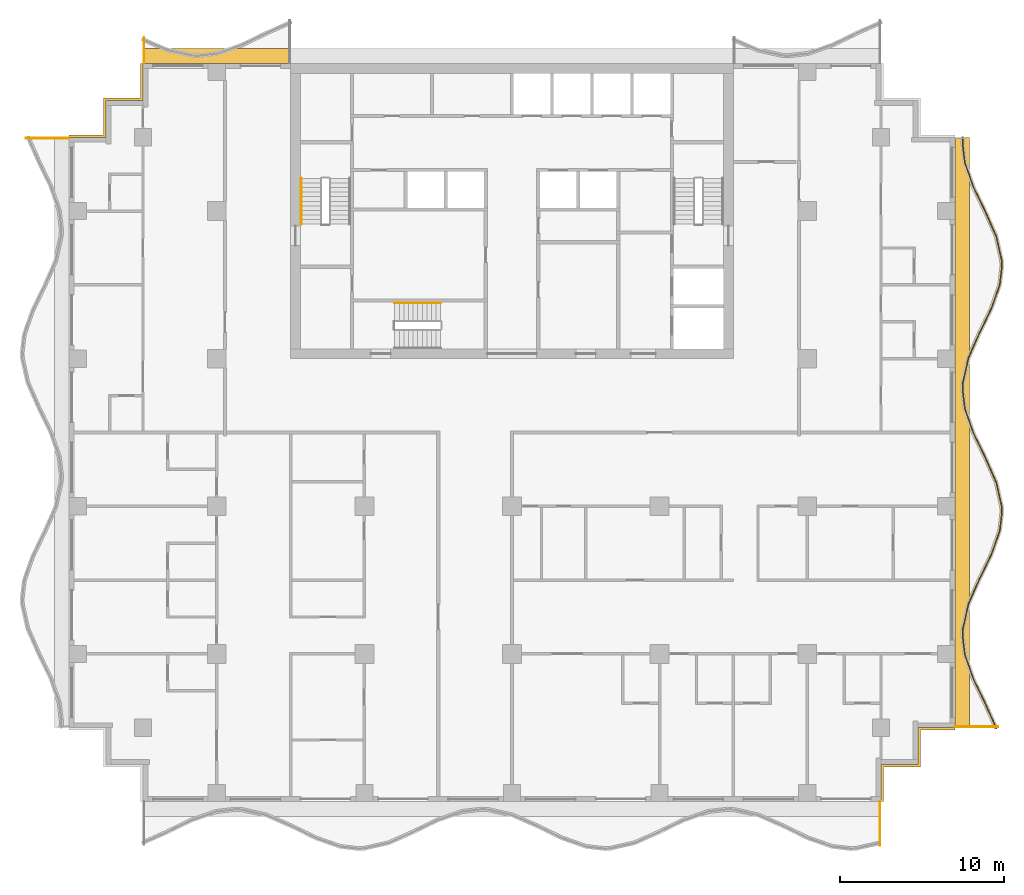
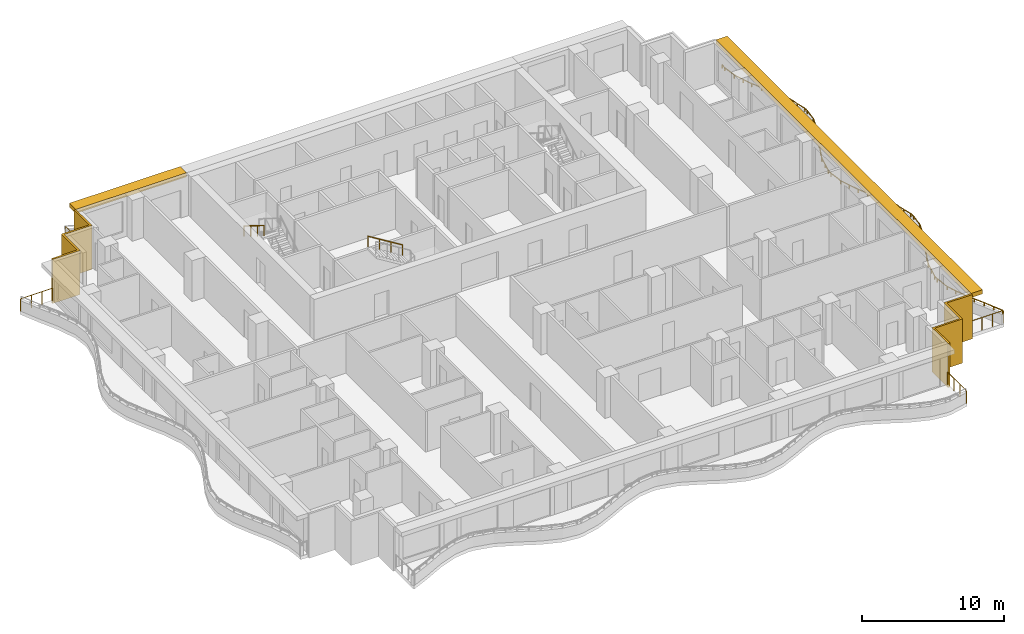
# One storey, part 10 of 11: 7 railings, 4 shading devices.
"""IFC4 building model written with IfcOpenShell, lengths in metres."""

from ifc_helpers import new_model, si_unit, direction, frame, origin, origin_2d, place, context, subcontext, project, spatial, polyline, rectangle, circle, outline, extrude, material, layer, layer_set, type_object, element, save


model = new_model("IFC4")

# Units and contexts
model_context = context("Model", 3, precision=1e-05, world=origin(), true_north=direction((0.0, 1.0)))
body_context = subcontext(model_context, "Body", "Model", "MODEL_VIEW")
ifc_project = project(units=[si_unit("LENGTHUNIT", "METRE"), si_unit("AREAUNIT", "SQUARE_METRE"), si_unit("VOLUMEUNIT", "CUBIC_METRE"), si_unit("PLANEANGLEUNIT", "RADIAN"), si_unit("MASSUNIT", "GRAM", prefix="KILO")], contexts=[model_context])

# Site, building, storey
site_placement = place(None, origin())
site = spatial("IfcSite", under=ifc_project, at=site_placement, CompositionType="ELEMENT")
building_placement = place(site_placement, origin())
building = spatial("IfcBuilding", under=site, at=building_placement, Name="Orbiselva Terraces", CompositionType="ELEMENT")
storey_placement = place(building_placement, frame((0.0, 0.0, 192.0)))
storey = spatial("IfcBuildingStorey", under=building, at=storey_placement, Name="L48", CompositionType="ELEMENT", Elevation=192.0)

# Railings
ifc_material_1 = material(Name="Stainless steel", Category="steel")
railing_type_1 = type_object("IfcRailingType", Name="CORE-HANDRAIL-900", PredefinedType="HANDRAIL", material=ifc_material_1)
railing_1_placement = place(storey_placement, frame((-12.85, 15.5, 2.072727)))
element("IfcRailing", 1, at=railing_1_placement, inside=storey, type_object=railing_type_1, Name="L48 S1 stair handrail 2", PredefinedType="HANDRAIL", context=body_context, shape_type="SweptSolid", body=[
    extrude(circle(Radius=0.024, at=origin_2d()), frame((0.0, 0.0, 0.876), z_axis=(0.0, -0.851088519012, 0.52502222125), x_axis=(1.0, 0.0, 0.0)), (0.0, 0.0, 1.0), 3.289905),
    extrude(circle(Radius=0.021, at=origin_2d()), origin(), (0.0, 0.0, 1.0), 0.852),
    extrude(circle(Radius=0.021, at=origin_2d()), frame((0.0, -0.933333, 0.575758)), (0.0, 0.0, 1.0), 0.852),
    extrude(circle(Radius=0.021, at=origin_2d()), frame((0.0, -1.866667, 1.151515)), (0.0, 0.0, 1.0), 0.852),
    extrude(circle(Radius=0.021, at=origin_2d()), frame((0.0, -2.8, 1.727273)), (0.0, 0.0, 1.0), 0.852),
])
railing_2_placement = place(storey_placement, frame((-4.35, 7.9, 2.072727)))
element("IfcRailing", 2, at=railing_2_placement, inside=storey, type_object=railing_type_1, Name="L48 S3 stair handrail 2", PredefinedType="HANDRAIL", context=body_context, shape_type="SweptSolid", body=[
    extrude(circle(Radius=0.024, at=origin_2d()), frame((0.0, 0.0, 0.876), z_axis=(-0.851088519012, 0.0, 0.52502222125), x_axis=(0.0, -1.0, 0.0)), (0.0, 0.0, 1.0), 3.289905),
    extrude(circle(Radius=0.021, at=origin_2d()), origin(), (0.0, 0.0, 1.0), 0.852),
    extrude(circle(Radius=0.021, at=origin_2d()), frame((-0.933333, 0.0, 0.575758)), (0.0, 0.0, 1.0), 0.852),
    extrude(circle(Radius=0.021, at=origin_2d()), frame((-1.866667, 0.0, 1.151515)), (0.0, 0.0, 1.0), 0.852),
    extrude(circle(Radius=0.021, at=origin_2d()), frame((-2.8, 0.0, 1.727273)), (0.0, 0.0, 1.0), 0.852),
])
ifc_material_2 = material(Name="Bonded two-ply safety glass balustrade, stainless steel posts", Category="steel")
railing_type_2 = type_object("IfcRailingType", Name="ENV-BALUSTRADE-1200", PredefinedType="BALUSTRADE", material=ifc_material_2)
railing_3_placement = place(storey_placement, frame((29.534136, -18.050394, 0.9)))
element("IfcRailing", 3, at=railing_3_placement, inside=storey, type_object=railing_type_2, Name="Balcony balustrade L48 E", PredefinedType="BALUSTRADE", context=body_context, shape_type="SweptSolid", body=[
    extrude(outline(polyline([(0.028868, 0.0), (0.014434, 0.025), (-0.014434, 0.025), (-0.028868, 0.0), (-0.014434, -0.025), (0.014434, -0.025), (0.028868, 0.0)])), frame((0.0, 0.0, 0.275), z_axis=(-0.403150940408, 0.915133498047, 0.0), x_axis=(-0.915133498047, -0.403150940408, 0.0)), (0.0, 0.0, 1.0), 1.636648),
    extrude(outline(polyline([(0.028868, 0.0), (0.014434, 0.025), (-0.014434, 0.025), (-0.028868, 0.0), (-0.014434, -0.025), (0.014434, -0.025), (0.028868, 0.0)])), frame((-0.659816, 1.497751, 0.275), z_axis=(-0.438812048596, 0.898578870221, 0.0), x_axis=(-0.898578870221, -0.438812048596, 0.0)), (0.0, 0.0, 1.0), 1.674225),
    extrude(outline(polyline([(0.028868, 0.0), (0.014434, 0.025), (-0.014434, 0.025), (-0.028868, 0.0), (-0.014434, -0.025), (0.014434, -0.025), (0.028868, 0.0)])), frame((-1.394486, 3.002174, 0.275), z_axis=(-0.330024597479, 0.943972332783, 0.0), x_axis=(-0.943972332783, -0.330024597479, 0.0)), (0.0, 0.0, 1.0), 1.610253),
    extrude(outline(polyline([(0.028868, 0.0), (0.014434, 0.025), (-0.014434, 0.025), (-0.028868, 0.0), (-0.014434, -0.025), (0.014434, -0.025), (0.028868, 0.0)])), frame((-1.925909, 4.522208, 0.275), z_axis=(-0.115482182324, 0.993309551734, 0.0), x_axis=(-0.993309551734, -0.115482182324, 0.0)), (0.0, 0.0, 1.0), 1.156135),
    extrude(outline(polyline([(0.028868, 0.0), (0.014434, 0.025), (-0.014434, 0.025), (-0.028868, 0.0), (-0.014434, -0.025), (0.014434, -0.025), (0.028868, 0.0)])), frame((-2.059422, 5.670608, 0.275), z_axis=(0.03936915532, 0.999224734286, 0.0), x_axis=(-0.999224734286, 0.03936915532, 0.0)), (0.0, 0.0, 1.0), 0.396376),
    extrude(outline(polyline([(0.028868, 0.0), (0.014434, 0.025), (-0.014434, 0.025), (-0.028868, 0.0), (-0.014434, -0.025), (0.014434, -0.025), (0.028868, 0.0)])), frame((-2.043817, 6.066677, 0.275), z_axis=(0.219015500924, 0.97572137947, 0.0), x_axis=(-0.97572137947, 0.219015500924, 0.0)), (0.0, 0.0, 1.0), 1.560867),
    extrude(outline(polyline([(0.028868, 0.0), (0.014434, 0.025), (-0.014434, 0.025), (-0.028868, 0.0), (-0.014434, -0.025), (0.014434, -0.025), (0.028868, 0.0)])), frame((-1.701963, 7.589648, 0.275), z_axis=(0.403150874148, 0.915133527237, 0.0), x_axis=(-0.915133527237, 0.403150874148, 0.0)), (0.0, 0.0, 1.0), 1.653736),
    extrude(outline(polyline([(0.028868, 0.0), (0.014434, 0.025), (-0.014434, 0.025), (-0.028868, 0.0), (-0.014434, -0.025), (0.014434, -0.025), (0.028868, 0.0)])), frame((-1.035258, 9.103037, 0.275), z_axis=(0.438811978768, 0.89857890432, 0.0), x_axis=(-0.89857890432, 0.438811978768, 0.0)), (0.0, 0.0, 1.0), 1.66438),
    extrude(outline(polyline([(0.028868, 0.0), (0.014434, 0.025), (-0.014434, 0.025), (-0.028868, 0.0), (-0.014434, -0.025), (0.014434, -0.025), (0.028868, 0.0)])), frame((-0.304908, 10.598614, 0.275), z_axis=(0.330024754707, 0.943972277814, 0.0), x_axis=(-0.943972277814, 0.330024754707, 0.0)), (0.0, 0.0, 1.0), 1.567807),
    extrude(outline(polyline([(0.028868, 0.0), (0.014434, 0.025), (-0.014434, 0.025), (-0.028868, 0.0), (-0.014434, -0.025), (0.014434, -0.025), (0.028868, 0.0)])), frame((0.212507, 12.07858, 0.275), z_axis=(0.115481264762, 0.993309658409, 0.0), x_axis=(-0.993309658409, 0.115481264762, 0.0)), (0.0, 0.0, 1.0), 1.10902),
    extrude(outline(polyline([(0.028868, 0.0), (0.014434, 0.025), (-0.014434, 0.025), (-0.028868, 0.0), (-0.014434, -0.025), (0.014434, -0.025), (0.028868, 0.0)])), frame((0.340578, 13.18018, 0.275), z_axis=(-0.039364150694, 0.999224931454, 0.0), x_axis=(-0.999224931454, -0.039364150694, 0.0)), (0.0, 0.0, 1.0), 0.354206),
    extrude(outline(polyline([(0.028868, 0.0), (0.014434, 0.025), (-0.014434, 0.025), (-0.028868, 0.0), (-0.014434, -0.025), (0.014434, -0.025), (0.028868, 0.0)])), frame((0.326635, 13.534111, 0.275), z_axis=(-0.219015740235, 0.975721325753, 0.0), x_axis=(-0.975721325753, -0.219015740235, 0.0)), (0.0, 0.0, 1.0), 1.513782),
    extrude(outline(polyline([(0.028868, 0.0), (0.014434, 0.025), (-0.014434, 0.025), (-0.028868, 0.0), (-0.014434, -0.025), (0.014434, -0.025), (0.028868, 0.0)])), frame((-0.004907, 15.01114, 0.275), z_axis=(-0.403151245402, 0.915133363686, 0.0), x_axis=(-0.915133363686, -0.403151245402, 0.0)), (0.0, 0.0, 1.0), 1.624475),
    extrude(outline(polyline([(0.028868, 0.0), (0.014434, 0.025), (-0.014434, 0.025), (-0.028868, 0.0), (-0.014434, -0.025), (0.014434, -0.025), (0.028868, 0.0)])), frame((-0.659816, 16.497751, 0.275), z_axis=(-0.438812048596, 0.898578870221, 0.0), x_axis=(-0.898578870221, -0.438812048596, 0.0)), (0.0, 0.0, 1.0), 1.674225),
    extrude(outline(polyline([(0.028868, 0.0), (0.014434, 0.025), (-0.014434, 0.025), (-0.028868, 0.0), (-0.014434, -0.025), (0.014434, -0.025), (0.028868, 0.0)])), frame((-1.394486, 18.002174, 0.275), z_axis=(-0.330024597479, 0.943972332783, 0.0), x_axis=(-0.943972332783, -0.330024597479, 0.0)), (0.0, 0.0, 1.0), 1.610253),
    extrude(outline(polyline([(0.028868, 0.0), (0.014434, 0.025), (-0.014434, 0.025), (-0.028868, 0.0), (-0.014434, -0.025), (0.014434, -0.025), (0.028868, 0.0)])), frame((-1.925909, 19.522208, 0.275), z_axis=(-0.115482182324, 0.993309551734, 0.0), x_axis=(-0.993309551734, -0.115482182324, 0.0)), (0.0, 0.0, 1.0), 1.156135),
    extrude(outline(polyline([(0.028868, 0.0), (0.014434, 0.025), (-0.014434, 0.025), (-0.028868, 0.0), (-0.014434, -0.025), (0.014434, -0.025), (0.028868, 0.0)])), frame((-2.059422, 20.670608, 0.275), z_axis=(0.03936915532, 0.999224734286, 0.0), x_axis=(-0.999224734286, 0.03936915532, 0.0)), (0.0, 0.0, 1.0), 0.396376),
    extrude(outline(polyline([(0.028868, 0.0), (0.014434, 0.025), (-0.014434, 0.025), (-0.028868, 0.0), (-0.014434, -0.025), (0.014434, -0.025), (0.028868, 0.0)])), frame((-2.043817, 21.066677, 0.275), z_axis=(0.219015500924, 0.97572137947, 0.0), x_axis=(-0.97572137947, 0.219015500924, 0.0)), (0.0, 0.0, 1.0), 1.560867),
    extrude(outline(polyline([(0.028868, 0.0), (0.014434, 0.025), (-0.014434, 0.025), (-0.028868, 0.0), (-0.014434, -0.025), (0.014434, -0.025), (0.028868, 0.0)])), frame((-1.701963, 22.589648, 0.275), z_axis=(0.403150874148, 0.915133527237, 0.0), x_axis=(-0.915133527237, 0.403150874148, 0.0)), (0.0, 0.0, 1.0), 1.653736),
    extrude(outline(polyline([(0.028868, 0.0), (0.014434, 0.025), (-0.014434, 0.025), (-0.028868, 0.0), (-0.014434, -0.025), (0.014434, -0.025), (0.028868, 0.0)])), frame((-1.035258, 24.103037, 0.275), z_axis=(0.438811978768, 0.89857890432, 0.0), x_axis=(-0.89857890432, 0.438811978768, 0.0)), (0.0, 0.0, 1.0), 1.66438),
    extrude(outline(polyline([(0.028868, 0.0), (0.014434, 0.025), (-0.014434, 0.025), (-0.028868, 0.0), (-0.014434, -0.025), (0.014434, -0.025), (0.028868, 0.0)])), frame((-0.304908, 25.598614, 0.275), z_axis=(0.330024754707, 0.943972277814, 0.0), x_axis=(-0.943972277814, 0.330024754707, 0.0)), (0.0, 0.0, 1.0), 1.567807),
    extrude(outline(polyline([(0.028868, 0.0), (0.014434, 0.025), (-0.014434, 0.025), (-0.028868, 0.0), (-0.014434, -0.025), (0.014434, -0.025), (0.028868, 0.0)])), frame((0.212507, 27.07858, 0.275), z_axis=(0.115481264762, 0.993309658409, 0.0), x_axis=(-0.993309658409, 0.115481264762, 0.0)), (0.0, 0.0, 1.0), 1.10902),
    extrude(outline(polyline([(0.028868, 0.0), (0.014434, 0.025), (-0.014434, 0.025), (-0.028868, 0.0), (-0.014434, -0.025), (0.014434, -0.025), (0.028868, 0.0)])), frame((0.340578, 28.18018, 0.275), z_axis=(-0.039364150694, 0.999224931454, 0.0), x_axis=(-0.999224931454, -0.039364150694, 0.0)), (0.0, 0.0, 1.0), 0.354206),
    extrude(outline(polyline([(0.028868, 0.0), (0.014434, 0.025), (-0.014434, 0.025), (-0.028868, 0.0), (-0.014434, -0.025), (0.014434, -0.025), (0.028868, 0.0)])), frame((0.326635, 28.534111, 0.275), z_axis=(-0.219015740235, 0.975721325753, 0.0), x_axis=(-0.975721325753, -0.219015740235, 0.0)), (0.0, 0.0, 1.0), 1.513782),
    extrude(outline(polyline([(0.028868, 0.0), (0.014434, 0.025), (-0.014434, 0.025), (-0.028868, 0.0), (-0.014434, -0.025), (0.014434, -0.025), (0.028868, 0.0)])), frame((-0.004907, 30.01114, 0.275), z_axis=(-0.403151245402, 0.915133363686, 0.0), x_axis=(-0.915133363686, -0.403151245402, 0.0)), (0.0, 0.0, 1.0), 1.624475),
    extrude(outline(polyline([(0.028868, 0.0), (0.014434, 0.025), (-0.014434, 0.025), (-0.028868, 0.0), (-0.014434, -0.025), (0.014434, -0.025), (0.028868, 0.0)])), frame((-0.659816, 31.497751, 0.275), z_axis=(-0.438812048596, 0.898578870221, 0.0), x_axis=(-0.898578870221, -0.438812048596, 0.0)), (0.0, 0.0, 1.0), 1.674225),
    extrude(outline(polyline([(0.028868, 0.0), (0.014434, 0.025), (-0.014434, 0.025), (-0.028868, 0.0), (-0.014434, -0.025), (0.014434, -0.025), (0.028868, 0.0)])), frame((-1.394486, 33.002174, 0.275), z_axis=(-0.330024597479, 0.943972332783, 0.0), x_axis=(-0.943972332783, -0.330024597479, 0.0)), (0.0, 0.0, 1.0), 1.610253),
    extrude(outline(polyline([(0.028868, 0.0), (0.014434, 0.025), (-0.014434, 0.025), (-0.028868, 0.0), (-0.014434, -0.025), (0.014434, -0.025), (0.028868, 0.0)])), frame((-1.925909, 34.522208, 0.275), z_axis=(-0.115482182324, 0.993309551734, 0.0), x_axis=(-0.993309551734, -0.115482182324, 0.0)), (0.0, 0.0, 1.0), 1.156135),
    extrude(outline(polyline([(0.028868, 0.0), (0.014434, 0.025), (-0.014434, 0.025), (-0.028868, 0.0), (-0.014434, -0.025), (0.014434, -0.025), (0.028868, 0.0)])), frame((-2.059422, 35.670608, 0.275), z_axis=(0.039368272023, 0.999224769087, 0.0), x_axis=(-0.999224769087, 0.039368272023, 0.0)), (0.0, 0.0, 1.0), 0.385005),
    extrude(rectangle(XDim=0.05, YDim=0.05, at=origin_2d()), origin(), (0.0, 0.0, 1.0), 0.25),
    extrude(rectangle(XDim=0.05, YDim=0.05, at=origin_2d()), frame((-0.329908, 0.748876, 0.0)), (0.0, 0.0, 1.0), 0.25),
    extrude(rectangle(XDim=0.05, YDim=0.05, at=origin_2d()), frame((-0.659816, 1.497751, 0.0)), (0.0, 0.0, 1.0), 0.25),
    extrude(rectangle(XDim=0.05, YDim=0.05, at=origin_2d()), frame((-1.027151, 2.249963, 0.0)), (0.0, 0.0, 1.0), 0.25),
    extrude(rectangle(XDim=0.05, YDim=0.05, at=origin_2d()), frame((-1.394486, 3.002174, 0.0)), (0.0, 0.0, 1.0), 0.25),
    extrude(rectangle(XDim=0.05, YDim=0.05, at=origin_2d()), frame((-1.660198, 3.762191, 0.0)), (0.0, 0.0, 1.0), 0.25),
    extrude(rectangle(XDim=0.05, YDim=0.05, at=origin_2d()), frame((-1.925909, 4.522208, 0.0)), (0.0, 0.0, 1.0), 0.25),
    extrude(rectangle(XDim=0.05, YDim=0.05, at=origin_2d()), frame((-2.059422, 5.670608, 0.0)), (0.0, 0.0, 1.0), 0.25),
    extrude(rectangle(XDim=0.05, YDim=0.05, at=origin_2d()), frame((-2.043817, 6.066677, 0.0)), (0.0, 0.0, 1.0), 0.25),
    extrude(rectangle(XDim=0.05, YDim=0.05, at=origin_2d()), frame((-1.87289, 6.828162, 0.0)), (0.0, 0.0, 1.0), 0.25),
    extrude(rectangle(XDim=0.05, YDim=0.05, at=origin_2d()), frame((-1.701963, 7.589648, 0.0)), (0.0, 0.0, 1.0), 0.25),
    extrude(rectangle(XDim=0.05, YDim=0.05, at=origin_2d()), frame((-1.36861, 8.346342, 0.0)), (0.0, 0.0, 1.0), 0.25),
    extrude(rectangle(XDim=0.05, YDim=0.05, at=origin_2d()), frame((-1.035258, 9.103037, 0.0)), (0.0, 0.0, 1.0), 0.25),
    extrude(rectangle(XDim=0.05, YDim=0.05, at=origin_2d()), frame((-0.670083, 9.850826, 0.0)), (0.0, 0.0, 1.0), 0.25),
    extrude(rectangle(XDim=0.05, YDim=0.05, at=origin_2d()), frame((-0.304908, 10.598614, 0.0)), (0.0, 0.0, 1.0), 0.25),
    extrude(rectangle(XDim=0.05, YDim=0.05, at=origin_2d()), frame((-0.046201, 11.338597, 0.0)), (0.0, 0.0, 1.0), 0.25),
    extrude(rectangle(XDim=0.05, YDim=0.05, at=origin_2d()), frame((0.212507, 12.07858, 0.0)), (0.0, 0.0, 1.0), 0.25),
    extrude(rectangle(XDim=0.05, YDim=0.05, at=origin_2d()), frame((0.340578, 13.18018, 0.0)), (0.0, 0.0, 1.0), 0.25),
    extrude(rectangle(XDim=0.05, YDim=0.05, at=origin_2d()), frame((0.326635, 13.534111, 0.0)), (0.0, 0.0, 1.0), 0.25),
    extrude(rectangle(XDim=0.05, YDim=0.05, at=origin_2d()), frame((0.160864, 14.272626, 0.0)), (0.0, 0.0, 1.0), 0.25),
    extrude(rectangle(XDim=0.05, YDim=0.05, at=origin_2d()), frame((-0.004907, 15.01114, 0.0)), (0.0, 0.0, 1.0), 0.25),
    extrude(rectangle(XDim=0.05, YDim=0.05, at=origin_2d()), frame((-0.332361, 15.754446, 0.0)), (0.0, 0.0, 1.0), 0.25),
    extrude(rectangle(XDim=0.05, YDim=0.05, at=origin_2d()), frame((-0.659816, 16.497751, 0.0)), (0.0, 0.0, 1.0), 0.25),
    extrude(rectangle(XDim=0.05, YDim=0.05, at=origin_2d()), frame((-1.027151, 17.249963, 0.0)), (0.0, 0.0, 1.0), 0.25),
    extrude(rectangle(XDim=0.05, YDim=0.05, at=origin_2d()), frame((-1.394486, 18.002174, 0.0)), (0.0, 0.0, 1.0), 0.25),
    extrude(rectangle(XDim=0.05, YDim=0.05, at=origin_2d()), frame((-1.660198, 18.762191, 0.0)), (0.0, 0.0, 1.0), 0.25),
    extrude(rectangle(XDim=0.05, YDim=0.05, at=origin_2d()), frame((-1.925909, 19.522208, 0.0)), (0.0, 0.0, 1.0), 0.25),
    extrude(rectangle(XDim=0.05, YDim=0.05, at=origin_2d()), frame((-2.059422, 20.670608, 0.0)), (0.0, 0.0, 1.0), 0.25),
    extrude(rectangle(XDim=0.05, YDim=0.05, at=origin_2d()), frame((-2.043817, 21.066677, 0.0)), (0.0, 0.0, 1.0), 0.25),
    extrude(rectangle(XDim=0.05, YDim=0.05, at=origin_2d()), frame((-1.87289, 21.828162, 0.0)), (0.0, 0.0, 1.0), 0.25),
    extrude(rectangle(XDim=0.05, YDim=0.05, at=origin_2d()), frame((-1.701963, 22.589648, 0.0)), (0.0, 0.0, 1.0), 0.25),
    extrude(rectangle(XDim=0.05, YDim=0.05, at=origin_2d()), frame((-1.36861, 23.346342, 0.0)), (0.0, 0.0, 1.0), 0.25),
    extrude(rectangle(XDim=0.05, YDim=0.05, at=origin_2d()), frame((-1.035258, 24.103037, 0.0)), (0.0, 0.0, 1.0), 0.25),
    extrude(rectangle(XDim=0.05, YDim=0.05, at=origin_2d()), frame((-0.670083, 24.850826, 0.0)), (0.0, 0.0, 1.0), 0.25),
    extrude(rectangle(XDim=0.05, YDim=0.05, at=origin_2d()), frame((-0.304908, 25.598614, 0.0)), (0.0, 0.0, 1.0), 0.25),
    extrude(rectangle(XDim=0.05, YDim=0.05, at=origin_2d()), frame((-0.046201, 26.338597, 0.0)), (0.0, 0.0, 1.0), 0.25),
    extrude(rectangle(XDim=0.05, YDim=0.05, at=origin_2d()), frame((0.212507, 27.07858, 0.0)), (0.0, 0.0, 1.0), 0.25),
    extrude(rectangle(XDim=0.05, YDim=0.05, at=origin_2d()), frame((0.340578, 28.18018, 0.0)), (0.0, 0.0, 1.0), 0.25),
    extrude(rectangle(XDim=0.05, YDim=0.05, at=origin_2d()), frame((0.326635, 28.534111, 0.0)), (0.0, 0.0, 1.0), 0.25),
    extrude(rectangle(XDim=0.05, YDim=0.05, at=origin_2d()), frame((0.160864, 29.272626, 0.0)), (0.0, 0.0, 1.0), 0.25),
    extrude(rectangle(XDim=0.05, YDim=0.05, at=origin_2d()), frame((-0.004907, 30.01114, 0.0)), (0.0, 0.0, 1.0), 0.25),
    extrude(rectangle(XDim=0.05, YDim=0.05, at=origin_2d()), frame((-0.332361, 30.754446, 0.0)), (0.0, 0.0, 1.0), 0.25),
    extrude(rectangle(XDim=0.05, YDim=0.05, at=origin_2d()), frame((-0.659816, 31.497751, 0.0)), (0.0, 0.0, 1.0), 0.25),
    extrude(rectangle(XDim=0.05, YDim=0.05, at=origin_2d()), frame((-1.027151, 32.249962, 0.0)), (0.0, 0.0, 1.0), 0.25),
    extrude(rectangle(XDim=0.05, YDim=0.05, at=origin_2d()), frame((-1.394486, 33.002174, 0.0)), (0.0, 0.0, 1.0), 0.25),
    extrude(rectangle(XDim=0.05, YDim=0.05, at=origin_2d()), frame((-1.660198, 33.762191, 0.0)), (0.0, 0.0, 1.0), 0.25),
    extrude(rectangle(XDim=0.05, YDim=0.05, at=origin_2d()), frame((-1.925909, 34.522208, 0.0)), (0.0, 0.0, 1.0), 0.25),
    extrude(rectangle(XDim=0.05, YDim=0.05, at=origin_2d()), frame((-2.059422, 35.670608, 0.0)), (0.0, 0.0, 1.0), 0.25),
    extrude(rectangle(XDim=0.05, YDim=0.05, at=origin_2d()), frame((-2.044265, 36.055315, 0.0)), (0.0, 0.0, 1.0), 0.25),
])
ifc_material_3 = material(Name="Stainless steel rail and posts", Category="steel")
railing_type_3 = type_object("IfcRailingType", Name="ENV-GUARD-1105", PredefinedType="BALUSTRADE", material=ifc_material_3)
railing_4_placement = place(storey_placement, frame((22.44, -25.169584, 0.0)))
element("IfcRailing", 4, at=railing_4_placement, inside=storey, type_object=railing_type_3, Name="Balcony end guard L48 S", PredefinedType="BALUSTRADE", context=body_context, shape_type="SweptSolid", body=[
    extrude(outline(polyline([(0.028868, 0.0), (0.014434, 0.025), (-0.014434, 0.025), (-0.028868, 0.0), (-0.014434, -0.025), (0.014434, -0.025), (0.028868, 0.0)])), frame((0.0, 0.0, 1.08), z_axis=(0.0, 1.0, 0.0), x_axis=(-1.0, 0.0, 0.0)), (0.0, 0.0, 1.0), 2.644584),
    extrude(rectangle(XDim=0.05, YDim=0.05, at=origin_2d()), origin(), (0.0, 0.0, 1.0), 1.055),
    extrude(rectangle(XDim=0.05, YDim=0.05, at=origin_2d()), frame((0.0, 0.881528, 0.0)), (0.0, 0.0, 1.0), 1.055),
    extrude(rectangle(XDim=0.05, YDim=0.05, at=origin_2d()), frame((0.0, 1.763056, 0.0)), (0.0, 0.0, 1.0), 1.055),
    extrude(rectangle(XDim=0.05, YDim=0.05, at=origin_2d()), frame((0.0, 2.644584, 0.0)), (0.0, 0.0, 1.0), 1.055),
])
railing_5_placement = place(storey_placement, frame((29.626937, -17.94, 0.0)))
element("IfcRailing", 5, at=railing_5_placement, inside=storey, type_object=railing_type_3, Name="Balcony end guard L48 E", PredefinedType="BALUSTRADE", context=body_context, shape_type="SweptSolid", body=[
    extrude(outline(polyline([(0.028868, 0.0), (0.014434, 0.025), (-0.014434, 0.025), (-0.028868, 0.0), (-0.014434, -0.025), (0.014434, -0.025), (0.028868, 0.0)])), frame((0.0, 0.0, 1.08), z_axis=(-1.0, 0.0, 0.0), x_axis=(0.0, -1.0, 0.0)), (0.0, 0.0, 1.0), 2.601937),
    extrude(rectangle(XDim=0.05, YDim=0.05, at=origin_2d()), origin(), (0.0, 0.0, 1.0), 1.055),
    extrude(rectangle(XDim=0.05, YDim=0.05, at=origin_2d()), frame((-0.867312, 0.0, 0.0)), (0.0, 0.0, 1.0), 1.055),
    extrude(rectangle(XDim=0.05, YDim=0.05, at=origin_2d()), frame((-1.734625, 0.0, 0.0)), (0.0, 0.0, 1.0), 1.055),
    extrude(rectangle(XDim=0.05, YDim=0.05, at=origin_2d()), frame((-2.601937, 0.0, 0.0)), (0.0, 0.0, 1.0), 1.055),
])
railing_6_placement = place(storey_placement, frame((-22.44, 24.082553, 0.0)))
element("IfcRailing", 6, at=railing_6_placement, inside=storey, type_object=railing_type_3, Name="Balcony end guard L48 NW", PredefinedType="BALUSTRADE", context=body_context, shape_type="SweptSolid", body=[
    extrude(outline(polyline([(0.028868, 0.0), (0.014434, 0.025), (-0.014434, 0.025), (-0.028868, 0.0), (-0.014434, -0.025), (0.014434, -0.025), (0.028868, 0.0)])), frame((0.0, 0.0, 1.08), z_axis=(0.0, -1.0, 0.0), x_axis=(1.0, 0.0, 0.0)), (0.0, 0.0, 1.0), 1.557553),
    extrude(rectangle(XDim=0.05, YDim=0.05, at=origin_2d()), origin(), (0.0, 0.0, 1.0), 1.055),
    extrude(rectangle(XDim=0.05, YDim=0.05, at=origin_2d()), frame((0.0, -0.778777, 0.0)), (0.0, 0.0, 1.0), 1.055),
    extrude(rectangle(XDim=0.05, YDim=0.05, at=origin_2d()), frame((0.0, -1.557553, 0.0)), (0.0, 0.0, 1.0), 1.055),
])
railing_7_placement = place(storey_placement, frame((-29.626937, 17.94, 0.0)))
element("IfcRailing", 7, at=railing_7_placement, inside=storey, type_object=railing_type_3, Name="Balcony end guard L48 W", PredefinedType="BALUSTRADE", context=body_context, shape_type="SweptSolid", body=[
    extrude(outline(polyline([(0.028868, 0.0), (0.014434, 0.025), (-0.014434, 0.025), (-0.028868, 0.0), (-0.014434, -0.025), (0.014434, -0.025), (0.028868, 0.0)])), frame((0.0, 0.0, 1.08), z_axis=(1.0, 0.0, 0.0), x_axis=(0.0, 1.0, 0.0)), (0.0, 0.0, 1.0), 2.601937),
    extrude(rectangle(XDim=0.05, YDim=0.05, at=origin_2d()), origin(), (0.0, 0.0, 1.0), 1.055),
    extrude(rectangle(XDim=0.05, YDim=0.05, at=origin_2d()), frame((0.867312, 0.0, 0.0)), (0.0, 0.0, 1.0), 1.055),
    extrude(rectangle(XDim=0.05, YDim=0.05, at=origin_2d()), frame((1.734625, 0.0, 0.0)), (0.0, 0.0, 1.0), 1.055),
    extrude(rectangle(XDim=0.05, YDim=0.05, at=origin_2d()), frame((2.601937, 0.0, 0.0)), (0.0, 0.0, 1.0), 1.055),
])

# Shading devices
ifc_material_4 = material(Name="Terracotta louvre screen", Category="masonry")
ifc_layer_1 = layer(ifc_material_4, 0.15)
ifc_layer_set_1 = layer_set([ifc_layer_1], Name="Terracotta louvre screen")
shading_device_type_1 = type_object("IfcShadingDeviceType", Name="ENV-SCREEN-150", PredefinedType="USERDEFINED", material=ifc_layer_set_1)
shading_device_1_placement = place(storey_placement, frame((0.0, 0.0, -0.3)))
element("IfcShadingDevice", 8, at=shading_device_1_placement, inside=storey, type_object=shading_device_type_1, Name="Louvre screen L48 NW", ObjectType="SCREEN", PredefinedType="USERDEFINED", context=body_context, shape_type="SweptSolid", body=[
    extrude(outline(polyline([(-22.65, 22.5), (-22.65, 20.4), (-24.9, 20.4), (-24.9, 18.15), (-27.0, 18.15), (-27.0, 18.0), (-24.75, 18.0), (-24.75, 20.25), (-22.5, 20.25), (-22.5, 22.5), (-22.65, 22.5)])), origin(), (0.0, 0.0, 1.0), 3.8),
])
shading_device_2_placement = place(storey_placement, frame((0.0, 0.0, -0.3)))
element("IfcShadingDevice", 9, at=shading_device_2_placement, inside=storey, type_object=shading_device_type_1, Name="Louvre screen L48 SE", ObjectType="SCREEN", PredefinedType="USERDEFINED", context=body_context, shape_type="SweptSolid", body=[
    extrude(outline(polyline([(22.65, -22.5), (22.65, -20.4), (24.9, -20.4), (24.9, -18.15), (27.0, -18.15), (27.0, -18.0), (24.75, -18.0), (24.75, -20.25), (22.5, -20.25), (22.5, -22.5), (22.65, -22.5)])), origin(), (0.0, 0.0, 1.0), 3.8),
])
ifc_material_5 = material(Name="Terracotta baguette sunshade", Category="masonry")
ifc_layer_2 = layer(ifc_material_5, 0.35)
ifc_layer_set_2 = layer_set([ifc_layer_2], Name="Terracotta baguette sunshade")
shading_device_type_2 = type_object("IfcShadingDeviceType", Name="ENV-SUNSHADE-900x350", PredefinedType="USERDEFINED", material=ifc_layer_set_2)
shading_device_3_placement = place(storey_placement, frame((0.0, 0.0, 3.15)))
element("IfcShadingDevice", 10, at=shading_device_3_placement, inside=storey, type_object=shading_device_type_2, Name="Sunshade band L48 E", ObjectType="SUNSHADE", PredefinedType="USERDEFINED", context=body_context, shape_type="SweptSolid", body=[
    extrude(outline(polyline([(27.9, -18.0), (27.9, 18.0), (27.0, 18.0), (27.0, -18.0), (27.9, -18.0)])), origin(), (0.0, 0.0, 1.0), 0.35),
])
shading_device_4_placement = place(storey_placement, frame((0.0, 0.0, 3.15)))
element("IfcShadingDevice", 11, at=shading_device_4_placement, inside=storey, type_object=shading_device_type_2, Name="Sunshade band L48 NW", ObjectType="SUNSHADE", PredefinedType="USERDEFINED", context=body_context, shape_type="SweptSolid", body=[
    extrude(outline(polyline([(-13.5, 23.4), (-22.5, 23.4), (-22.5, 22.5), (-13.5, 22.5), (-13.5, 23.4)])), origin(), (0.0, 0.0, 1.0), 0.35),
])

save(model, "model.ifc")
